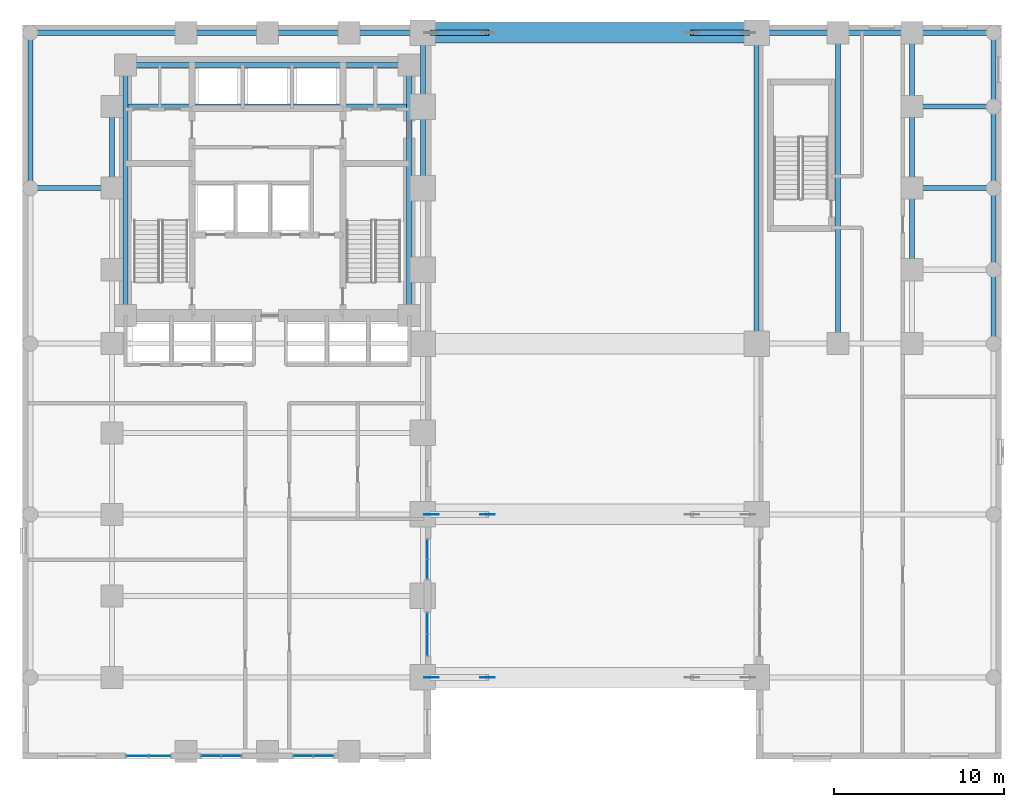
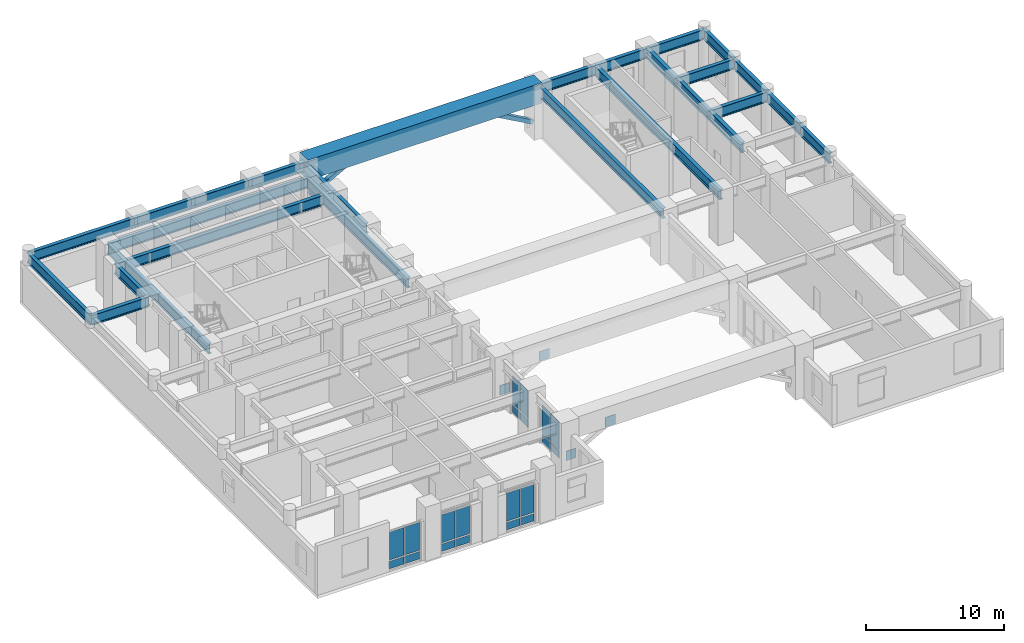
# One storey, part 5 of 12: 28 beams, 24 plates, 2 members, 5 elements without a shape of their own.
"""IFC4 building model written with IfcOpenShell, lengths in metres."""

from ifc_helpers import new_model, si_unit, direction, frame, origin, origin_2d, place, context, subcontext, project, spatial, rectangle, hollow_rectangle, i_section, extrude, material, layer, layer_set, material_profile, profile_set, type_object, element, aggregate, save


model = new_model("IFC4")

# Units and contexts
model_context = context("Model", 3, precision=1e-05, world=origin(), true_north=direction((0.0, 1.0)))
body_context = subcontext(model_context, "Body", "Model", "MODEL_VIEW")
ifc_project = project(units=[si_unit("LENGTHUNIT", "METRE"), si_unit("AREAUNIT", "SQUARE_METRE"), si_unit("VOLUMEUNIT", "CUBIC_METRE"), si_unit("PLANEANGLEUNIT", "RADIAN"), si_unit("MASSUNIT", "GRAM", prefix="KILO")], contexts=[model_context])

# Site, building, storey
site_placement = place(None, origin())
site = spatial("IfcSite", under=ifc_project, at=site_placement, CompositionType="ELEMENT")
building_placement = place(site_placement, origin())
building = spatial("IfcBuilding", under=site, at=building_placement, Name="Orvandelia Arch Residences", CompositionType="ELEMENT")
storey_placement = place(building_placement, frame((0.0, 0.0, 10.0)))
storey = spatial("IfcBuildingStorey", under=building, at=storey_placement, Name="L02", CompositionType="ELEMENT", Elevation=10.0)

# Beams
ifc_material_1 = material(Name="Structural Steel HSA650 (650 MPa)", Category="steel")
ifc_material_profile_1 = material_profile(ifc_material_1, i_section(OverallWidth=0.300048828125, OverallDepth=0.89990234375, WebThickness=0.01611328125, FlangeThickness=0.028076171875, FilletRadius=0.028076171875, at=origin_2d()), Name="Structural Steel HSA650 (650 MPa)", Category="steel")
ifc_profile_set_1 = profile_set([ifc_material_profile_1], Name="Structural Steel HSA650 (650 MPa)")
beam_type_1 = type_object("IfcBeamType", Name="BM-GRD-H900", PredefinedType="BEAM", material=ifc_profile_set_1)
beam_1_placement = place(storey_placement, frame((0.449951171875, 38.39990234375, 3.949951171875), z_axis=(0.0, 1.0, 0.0), x_axis=(-1.0, 0.0, 0.0)))
element("IfcBeam", 1, at=beam_1_placement, inside=storey, type_object=beam_type_1, Name="Structural Frame Beam L02-NS-004", PredefinedType="BEAM", context=body_context, shape_type="SweptSolid", body=[
    extrude(i_section(OverallWidth=0.300048828125, OverallDepth=0.89990234375, WebThickness=0.01611328125, FlangeThickness=0.028076171875, FilletRadius=0.028076171875, at=origin_2d()), origin(), (0.0, 0.0, 1.0), 9.150146484375),
])
beam_2_placement = place(storey_placement, frame((5.25, 38.39990234375, 3.949951171875), z_axis=(0.0, 1.0, 0.0), x_axis=(-1.0, 0.0, 0.0)))
element("IfcBeam", 2, at=beam_2_placement, inside=storey, type_object=beam_type_1, Name="Structural Frame Beam L02-NS-011", PredefinedType="BEAM", context=body_context, shape_type="SweptSolid", body=[
    extrude(i_section(OverallWidth=0.300048828125, OverallDepth=0.89990234375, WebThickness=0.01611328125, FlangeThickness=0.028076171875, FilletRadius=0.028076171875, at=origin_2d()), origin(), (0.0, 0.0, 1.0), 4.800048828125),
])
for number, where, z_axis, x_axis, name in (
    (3, (6.050048828125, 30.89990234375, 3.949951171875), (0.0, 1.0, 0.0), (-1.0, 0.0, 0.0), "Structural Frame Beam L02-NS-012"),
    (4, (22.75, 30.89990234375, 3.949951171875), (0.0, 1.0, 0.0), (-1.0, 0.0, 0.0), "Structural Frame Beam L02-NS-013"),
):
    element("IfcBeam", number, at=place(storey_placement, frame(where, z_axis=z_axis, x_axis=x_axis)), inside=storey, type_object=beam_type_1, Name=name, PredefinedType="BEAM", context=body_context, shape_type="SweptSolid", body=[
        extrude(i_section(OverallWidth=0.300048828125, OverallDepth=0.89990234375, WebThickness=0.01611328125, FlangeThickness=0.028076171875, FilletRadius=0.028076171875, at=origin_2d()), origin(), (0.0, 0.0, 1.0), 14.75),
    ])
beam_3_placement = place(storey_placement, frame((23.550048828125, 38.39990234375, 3.949951171875), z_axis=(0.0, 1.0, 0.0), x_axis=(-1.0, 0.0, 0.0)))
element("IfcBeam", 5, at=beam_3_placement, inside=storey, type_object=beam_type_1, Name="Structural Frame Beam L02-NS-020", PredefinedType="BEAM", context=body_context, shape_type="SweptSolid", body=[
    extrude(i_section(OverallWidth=0.300048828125, OverallDepth=0.89990234375, WebThickness=0.01611328125, FlangeThickness=0.028076171875, FilletRadius=0.028076171875, at=origin_2d()), origin(), (0.0, 0.0, 1.0), 4.800048828125),
])
beam_4_placement = place(storey_placement, frame((23.550048828125, 43.199951171875, 3.949951171875), z_axis=(0.0, 1.0, 0.0), x_axis=(-1.0, 0.0, 0.0)))
element("IfcBeam", 6, at=beam_4_placement, inside=storey, type_object=beam_type_1, Name="Structural Frame Beam L02-NS-021", PredefinedType="BEAM", context=body_context, shape_type="SweptSolid", body=[
    extrude(i_section(OverallWidth=0.300048828125, OverallDepth=0.89990234375, WebThickness=0.01611328125, FlangeThickness=0.028076171875, FilletRadius=0.028076171875, at=origin_2d()), origin(), (0.0, 0.0, 1.0), 4.35009765625),
])
for number, where, z_axis, x_axis, name in (
    (7, (43.199951171875, 29.25, 3.949951171875), (0.0, 1.0, 0.0), (-1.0, 0.0, 0.0), "Structural Frame Beam L02-NS-024"),
    (8, (48.0, 29.25, 3.949951171875), (0.0, 1.0, 0.0), (-1.0, 0.0, 0.0), "Structural Frame Beam L02-NS-025"),
):
    element("IfcBeam", number, at=place(storey_placement, frame(where, z_axis=z_axis, x_axis=x_axis)), inside=storey, type_object=beam_type_1, Name=name, PredefinedType="BEAM", context=body_context, shape_type="SweptSolid", body=[
        extrude(i_section(OverallWidth=0.300048828125, OverallDepth=0.89990234375, WebThickness=0.01611328125, FlangeThickness=0.028076171875, FilletRadius=0.028076171875, at=origin_2d()), origin(), (0.0, 0.0, 1.0), 18.300048828125),
    ])
beam_5_placement = place(storey_placement, frame((52.35009765625, 33.60009765625, 3.949951171875), z_axis=(0.0, 1.0, 0.0), x_axis=(-1.0, 0.0, 0.0)))
element("IfcBeam", 9, at=beam_5_placement, inside=storey, type_object=beam_type_1, Name="Structural Frame Beam L02-NS-027", PredefinedType="BEAM", context=body_context, shape_type="SweptSolid", body=[
    extrude(i_section(OverallWidth=0.300048828125, OverallDepth=0.89990234375, WebThickness=0.01611328125, FlangeThickness=0.028076171875, FilletRadius=0.028076171875, at=origin_2d()), origin(), (0.0, 0.0, 1.0), 4.7998046875),
])
beam_6_placement = place(storey_placement, frame((52.35009765625, 38.39990234375, 3.949951171875), z_axis=(0.0, 1.0, 0.0), x_axis=(-1.0, 0.0, 0.0)))
element("IfcBeam", 10, at=beam_6_placement, inside=storey, type_object=beam_type_1, Name="Structural Frame Beam L02-NS-028", PredefinedType="BEAM", context=body_context, shape_type="SweptSolid", body=[
    extrude(i_section(OverallWidth=0.300048828125, OverallDepth=0.89990234375, WebThickness=0.01611328125, FlangeThickness=0.028076171875, FilletRadius=0.028076171875, at=origin_2d()), origin(), (0.0, 0.0, 1.0), 4.800048828125),
])
for number, where, z_axis, x_axis, name in (
    (11, (52.35009765625, 43.199951171875, 3.949951171875), (0.0, 1.0, 0.0), (-1.0, 0.0, 0.0), "Structural Frame Beam L02-NS-029"),
    (12, (57.14990234375, 29.25, 3.949951171875), (0.0, 1.0, 0.0), (-1.0, 0.0, 0.0), "Structural Frame Beam L02-NS-032"),
):
    element("IfcBeam", number, at=place(storey_placement, frame(where, z_axis=z_axis, x_axis=x_axis)), inside=storey, type_object=beam_type_1, Name=name, PredefinedType="BEAM", context=body_context, shape_type="SweptSolid", body=[
        extrude(i_section(OverallWidth=0.300048828125, OverallDepth=0.89990234375, WebThickness=0.01611328125, FlangeThickness=0.028076171875, FilletRadius=0.028076171875, at=origin_2d()), origin(), (0.0, 0.0, 1.0), 4.35009765625),
    ])
beam_7_placement = place(storey_placement, frame((57.14990234375, 33.60009765625, 3.949951171875), z_axis=(0.0, 1.0, 0.0), x_axis=(-1.0, 0.0, 0.0)))
element("IfcBeam", 13, at=beam_7_placement, inside=storey, type_object=beam_type_1, Name="Structural Frame Beam L02-NS-033", PredefinedType="BEAM", context=body_context, shape_type="SweptSolid", body=[
    extrude(i_section(OverallWidth=0.300048828125, OverallDepth=0.89990234375, WebThickness=0.01611328125, FlangeThickness=0.028076171875, FilletRadius=0.028076171875, at=origin_2d()), origin(), (0.0, 0.0, 1.0), 4.7998046875),
])
beam_8_placement = place(storey_placement, frame((57.14990234375, 38.39990234375, 3.949951171875), z_axis=(0.0, 1.0, 0.0), x_axis=(-1.0, 0.0, 0.0)))
element("IfcBeam", 14, at=beam_8_placement, inside=storey, type_object=beam_type_1, Name="Structural Frame Beam L02-NS-034", PredefinedType="BEAM", context=body_context, shape_type="SweptSolid", body=[
    extrude(i_section(OverallWidth=0.300048828125, OverallDepth=0.89990234375, WebThickness=0.01611328125, FlangeThickness=0.028076171875, FilletRadius=0.028076171875, at=origin_2d()), origin(), (0.0, 0.0, 1.0), 4.800048828125),
])
beam_9_placement = place(storey_placement, frame((57.14990234375, 43.199951171875, 3.949951171875), z_axis=(0.0, 1.0, 0.0), x_axis=(-1.0, 0.0, 0.0)))
element("IfcBeam", 15, at=beam_9_placement, inside=storey, type_object=beam_type_1, Name="Structural Frame Beam L02-NS-035", PredefinedType="BEAM", context=body_context, shape_type="SweptSolid", body=[
    extrude(i_section(OverallWidth=0.300048828125, OverallDepth=0.89990234375, WebThickness=0.01611328125, FlangeThickness=0.028076171875, FilletRadius=0.028076171875, at=origin_2d()), origin(), (0.0, 0.0, 1.0), 4.35009765625),
])
beam_10_placement = place(storey_placement, frame((0.449951171875, 38.39990234375, 3.949951171875), z_axis=(1.0, 0.0, 0.0), x_axis=(0.0, 1.0, 0.0)))
element("IfcBeam", 16, at=beam_10_placement, inside=storey, type_object=beam_type_1, Name="Structural Frame Girder L02-EW-054", PredefinedType="BEAM", context=body_context, shape_type="SweptSolid", body=[
    extrude(i_section(OverallWidth=0.300048828125, OverallDepth=0.89990234375, WebThickness=0.01611328125, FlangeThickness=0.028076171875, FilletRadius=0.028076171875, at=origin_2d()), origin(), (0.0, 0.0, 1.0), 4.800048828125),
])
beam_11_placement = place(storey_placement, frame((52.35009765625, 38.39990234375, 3.949951171875), z_axis=(1.0, 0.0, 0.0), x_axis=(0.0, 1.0, 0.0)))
element("IfcBeam", 17, at=beam_11_placement, inside=storey, type_object=beam_type_1, Name="Structural Frame Girder L02-EW-056", PredefinedType="BEAM", context=body_context, shape_type="SweptSolid", body=[
    extrude(i_section(OverallWidth=0.300048828125, OverallDepth=0.89990234375, WebThickness=0.01611328125, FlangeThickness=0.028076171875, FilletRadius=0.028076171875, at=origin_2d()), origin(), (0.0, 0.0, 1.0), 4.7998046875),
])
beam_12_placement = place(storey_placement, frame((5.25, 43.199951171875, 3.949951171875), z_axis=(1.0, 0.0, 0.0), x_axis=(0.0, 1.0, 0.0)))
element("IfcBeam", 18, at=beam_12_placement, inside=storey, type_object=beam_type_1, Name="Structural Frame Girder L02-EW-057", PredefinedType="BEAM", context=body_context, shape_type="SweptSolid", body=[
    extrude(i_section(OverallWidth=0.300048828125, OverallDepth=0.89990234375, WebThickness=0.01611328125, FlangeThickness=0.028076171875, FilletRadius=0.028076171875, at=origin_2d()), origin(), (0.0, 0.0, 1.0), 18.300048828125),
])
beam_13_placement = place(storey_placement, frame((52.35009765625, 43.199951171875, 3.949951171875), z_axis=(1.0, 0.0, 0.0), x_axis=(0.0, 1.0, 0.0)))
element("IfcBeam", 19, at=beam_13_placement, inside=storey, type_object=beam_type_1, Name="Structural Frame Girder L02-EW-058", PredefinedType="BEAM", context=body_context, shape_type="SweptSolid", body=[
    extrude(i_section(OverallWidth=0.300048828125, OverallDepth=0.89990234375, WebThickness=0.01611328125, FlangeThickness=0.028076171875, FilletRadius=0.028076171875, at=origin_2d()), origin(), (0.0, 0.0, 1.0), 4.7998046875),
])
beam_14_placement = place(storey_placement, frame((6.050048828125, 45.64990234375, 3.949951171875), z_axis=(1.0, 0.0, 0.0), x_axis=(0.0, 1.0, 0.0)))
element("IfcBeam", 20, at=beam_14_placement, inside=storey, type_object=beam_type_1, Name="Structural Frame Girder L02-EW-059", PredefinedType="BEAM", context=body_context, shape_type="SweptSolid", body=[
    extrude(i_section(OverallWidth=0.300048828125, OverallDepth=0.89990234375, WebThickness=0.01611328125, FlangeThickness=0.028076171875, FilletRadius=0.028076171875, at=origin_2d()), origin(), (0.0, 0.0, 1.0), 16.699951171875),
])
beam_15_placement = place(storey_placement, frame((0.449951171875, 47.550048828125, 3.949951171875), z_axis=(1.0, 0.0, 0.0), x_axis=(0.0, 1.0, 0.0)))
element("IfcBeam", 21, at=beam_15_placement, inside=storey, type_object=beam_type_1, Name="Structural Frame Girder L02-EW-060", PredefinedType="BEAM", context=body_context, shape_type="SweptSolid", body=[
    extrude(i_section(OverallWidth=0.300048828125, OverallDepth=0.89990234375, WebThickness=0.01611328125, FlangeThickness=0.028076171875, FilletRadius=0.028076171875, at=origin_2d()), origin(), (0.0, 0.0, 1.0), 9.150146484375),
])
beam_16_placement = place(storey_placement, frame((9.60009765625, 47.550048828125, 3.949951171875), z_axis=(1.0, 0.0, 0.0), x_axis=(0.0, 1.0, 0.0)))
element("IfcBeam", 22, at=beam_16_placement, inside=storey, type_object=beam_type_1, Name="Structural Frame Girder L02-EW-061", PredefinedType="BEAM", context=body_context, shape_type="SweptSolid", body=[
    extrude(i_section(OverallWidth=0.300048828125, OverallDepth=0.89990234375, WebThickness=0.01611328125, FlangeThickness=0.028076171875, FilletRadius=0.028076171875, at=origin_2d()), origin(), (0.0, 0.0, 1.0), 4.7998046875),
])
beam_17_placement = place(storey_placement, frame((14.39990234375, 47.550048828125, 3.949951171875), z_axis=(1.0, 0.0, 0.0), x_axis=(0.0, 1.0, 0.0)))
element("IfcBeam", 23, at=beam_17_placement, inside=storey, type_object=beam_type_1, Name="Structural Frame Girder L02-EW-062", PredefinedType="BEAM", context=body_context, shape_type="SweptSolid", body=[
    extrude(i_section(OverallWidth=0.300048828125, OverallDepth=0.89990234375, WebThickness=0.01611328125, FlangeThickness=0.028076171875, FilletRadius=0.028076171875, at=origin_2d()), origin(), (0.0, 0.0, 1.0), 4.800048828125),
])
beam_18_placement = place(storey_placement, frame((19.199951171875, 47.550048828125, 3.949951171875), z_axis=(1.0, 0.0, 0.0), x_axis=(0.0, 1.0, 0.0)))
element("IfcBeam", 24, at=beam_18_placement, inside=storey, type_object=beam_type_1, Name="Structural Frame Girder L02-EW-063", PredefinedType="BEAM", context=body_context, shape_type="SweptSolid", body=[
    extrude(i_section(OverallWidth=0.300048828125, OverallDepth=0.89990234375, WebThickness=0.01611328125, FlangeThickness=0.028076171875, FilletRadius=0.028076171875, at=origin_2d()), origin(), (0.0, 0.0, 1.0), 4.35009765625),
])
beam_19_placement = place(storey_placement, frame((43.199951171875, 47.550048828125, 3.949951171875), z_axis=(1.0, 0.0, 0.0), x_axis=(0.0, 1.0, 0.0)))
element("IfcBeam", 25, at=beam_19_placement, inside=storey, type_object=beam_type_1, Name="Structural Frame Girder L02-EW-064", PredefinedType="BEAM", context=body_context, shape_type="SweptSolid", body=[
    extrude(i_section(OverallWidth=0.300048828125, OverallDepth=0.89990234375, WebThickness=0.01611328125, FlangeThickness=0.028076171875, FilletRadius=0.028076171875, at=origin_2d()), origin(), (0.0, 0.0, 1.0), 4.800048828125),
])
beam_20_placement = place(storey_placement, frame((48.0, 47.550048828125, 3.949951171875), z_axis=(1.0, 0.0, 0.0), x_axis=(0.0, 1.0, 0.0)))
element("IfcBeam", 26, at=beam_20_placement, inside=storey, type_object=beam_type_1, Name="Structural Frame Girder L02-EW-065", PredefinedType="BEAM", context=body_context, shape_type="SweptSolid", body=[
    extrude(i_section(OverallWidth=0.300048828125, OverallDepth=0.89990234375, WebThickness=0.01611328125, FlangeThickness=0.028076171875, FilletRadius=0.028076171875, at=origin_2d()), origin(), (0.0, 0.0, 1.0), 4.35009765625),
])
beam_21_placement = place(storey_placement, frame((52.35009765625, 47.550048828125, 3.949951171875), z_axis=(1.0, 0.0, 0.0), x_axis=(0.0, 1.0, 0.0)))
element("IfcBeam", 27, at=beam_21_placement, inside=storey, type_object=beam_type_1, Name="Structural Frame Girder L02-EW-066", PredefinedType="BEAM", context=body_context, shape_type="SweptSolid", body=[
    extrude(i_section(OverallWidth=0.300048828125, OverallDepth=0.89990234375, WebThickness=0.01611328125, FlangeThickness=0.028076171875, FilletRadius=0.028076171875, at=origin_2d()), origin(), (0.0, 0.0, 1.0), 4.7998046875),
])

# Members
ifc_material_2 = material(Name="Structural Steel SM355 (355 MPa)", Category="steel")
ifc_material_profile_2 = material_profile(ifc_material_2, hollow_rectangle(XDim=0.35009765625, YDim=0.35009765625, WallThickness=0.01904296875, at=origin_2d()), Name="Structural Steel SM355 (355 MPa)", Category="steel")
ifc_profile_set_2 = profile_set([ifc_material_profile_2], Name="Structural Steel SM355 (355 MPa)")
member_type = type_object("IfcMemberType", Name="MBR-ARCH-RIB", PredefinedType="STRUT", material=ifc_profile_set_2)
for number, where, z_axis, x_axis, name in (
    (28, (24.050048828125, 47.550048828125, 1.199951171875), (0.872272628353, 0.0, 0.489019899213), (0.0, 1.0, 0.0), "Giant Street Arch West Springer Haunch NORTH"),
    (29, (42.699951171875, 47.550048828125, 1.199951171875), (-0.872272628353, 0.0, 0.489019899213), (0.0, -1.0, 0.0), "Giant Street Arch East Springer Haunch NORTH"),
):
    element("IfcMember", number, at=place(storey_placement, frame(where, z_axis=z_axis, x_axis=x_axis)), inside=storey, type_object=member_type, Name=name, PredefinedType="STRUT", context=body_context, shape_type="SweptSolid", body=[
        extrude(hollow_rectangle(XDim=0.35009765625, YDim=0.35009765625, WallThickness=0.01904296875, at=origin_2d()), origin(), (0.0, 0.0, 1.0), 3.783203125),
    ])

# Beam
ifc_material_3 = material(Name="Concrete C80/95", Category="concrete")
ifc_material_profile_3 = material_profile(ifc_material_3, rectangle(XDim=1.199951171875, YDim=1.800048828125, at=origin_2d()), Name="Concrete C80/95", Category="concrete")
ifc_profile_set_3 = profile_set([ifc_material_profile_3], Name="Concrete C80/95")
beam_type_2 = type_object("IfcBeamType", Name="TG-ARCH-1200x1800", PredefinedType="USERDEFINED", material=ifc_profile_set_3)
beam_22_placement = place(storey_placement, frame((23.550048828125, 47.550048828125, 3.89990234375), z_axis=(1.0, 0.0, 0.0), x_axis=(0.0, 1.0, 0.0)))
element("IfcBeam", 30, at=beam_22_placement, inside=storey, type_object=beam_type_2, Name="Arch Coupled Transfer Girder L02", ObjectType="TRANSFER GIRDER", PredefinedType="USERDEFINED", context=body_context, shape_type="SweptSolid", body=[
    extrude(rectangle(XDim=1.199951171875, YDim=1.800048828125, at=origin_2d()), origin(), (0.0, 0.0, 1.0), 19.64990234375),
])

# Curtain wall, plates
ifc_material_4 = material(Name="Anodised Bronze Curtain Wall Assembly")
curtain_wall_type_1 = type_object("IfcCurtainWallType", Name="CW-SYS1-PODIUM", PredefinedType="NOTDEFINED", material=ifc_material_4)
curtain_wall_1_placement = place(storey_placement, origin())
curtain_wall_1 = element("IfcCurtainWall", 31, at=curtain_wall_1_placement, inside=storey, type_object=curtain_wall_type_1, Name="Podium Gallery Curtain Wall L02 1", PredefinedType="NOTDEFINED")
ifc_material_5 = material(Name="Insulated Bronze Aluminium Spandrel Panel", Category="aluminium")
ifc_layer_1 = layer(ifc_material_5, 0.0400390625, Name="Insulated Bronze Aluminium Spandrel Panel", Category="aluminium")
ifc_layer_set_1 = layer_set([ifc_layer_1], Name="Insulated Bronze Aluminium Spandrel Panel")
plate_type_1 = type_object("IfcPlateType", Name="CW-PANEL-SPANDREL", PredefinedType="SHEET", material=ifc_layer_set_1)
plate_1_placement = place(storey_placement, frame((6.737548828125, 4.97998046875, 0.125), z_axis=(0.0, 0.0, 1.0), x_axis=(1.0, 0.0, 0.0)))
plate_1 = element("IfcPlate", 32, at=plate_1_placement, type_object=plate_type_1, Name="Curtain Wall Spandrel Panel CW-L02-1-PS1", PredefinedType="SHEET", context=body_context, shape_type="SweptSolid", body=[
    extrude(rectangle(XDim=1.264892578125, YDim=0.0400390625, at=origin_2d()), origin(), (0.0, 0.0, 1.0), 0.659912109375),
])
plate_2_placement = place(storey_placement, frame((8.052490234375, 4.97998046875, 0.125), z_axis=(0.0, 0.0, 1.0), x_axis=(1.0, 0.0, 0.0)))
plate_2 = element("IfcPlate", 33, at=plate_2_placement, type_object=plate_type_1, Name="Curtain Wall Spandrel Panel CW-L02-1-PS2", PredefinedType="SHEET", context=body_context, shape_type="SweptSolid", body=[
    extrude(rectangle(XDim=1.264892578125, YDim=0.0400390625, at=origin_2d()), origin(), (0.0, 0.0, 1.0), 0.659912109375),
])

curtain_wall_2_placement = place(storey_placement, origin())
curtain_wall_2 = element("IfcCurtainWall", 34, at=curtain_wall_2_placement, inside=storey, type_object=curtain_wall_type_1, Name="Podium Gallery Curtain Wall L02 2", PredefinedType="NOTDEFINED")
plate_3_placement = place(storey_placement, frame((11.08740234375, 4.97998046875, 0.125), z_axis=(0.0, 0.0, 1.0), x_axis=(1.0, 0.0, 0.0)))
plate_3 = element("IfcPlate", 35, at=plate_3_placement, type_object=plate_type_1, Name="Curtain Wall Spandrel Panel CW-L02-2-PS1", PredefinedType="SHEET", context=body_context, shape_type="SweptSolid", body=[
    extrude(rectangle(XDim=1.14501953125, YDim=0.0400390625, at=origin_2d()), origin(), (0.0, 0.0, 1.0), 0.659912109375),
])
plate_4_placement = place(storey_placement, frame((12.282470703125, 4.97998046875, 0.125), z_axis=(0.0, 0.0, 1.0), x_axis=(1.0, 0.0, 0.0)))
plate_4 = element("IfcPlate", 36, at=plate_4_placement, type_object=plate_type_1, Name="Curtain Wall Spandrel Panel CW-L02-2-PS2", PredefinedType="SHEET", context=body_context, shape_type="SweptSolid", body=[
    extrude(rectangle(XDim=1.14501953125, YDim=0.0400390625, at=origin_2d()), origin(), (0.0, 0.0, 1.0), 0.659912109375),
])

curtain_wall_3_placement = place(storey_placement, origin())
curtain_wall_3 = element("IfcCurtainWall", 37, at=curtain_wall_3_placement, inside=storey, type_object=curtain_wall_type_1, Name="Podium Gallery Curtain Wall L02 3", PredefinedType="NOTDEFINED")
plate_5_placement = place(storey_placement, frame((16.517578125, 4.97998046875, 0.125), z_axis=(0.0, 0.0, 1.0), x_axis=(1.0, 0.0, 0.0)))
plate_5 = element("IfcPlate", 38, at=plate_5_placement, type_object=plate_type_1, Name="Curtain Wall Spandrel Panel CW-L02-3-PS1", PredefinedType="SHEET", context=body_context, shape_type="SweptSolid", body=[
    extrude(rectangle(XDim=1.14501953125, YDim=0.0400390625, at=origin_2d()), origin(), (0.0, 0.0, 1.0), 0.659912109375),
])
plate_6_placement = place(storey_placement, frame((17.71240234375, 4.97998046875, 0.125), z_axis=(0.0, 0.0, 1.0), x_axis=(1.0, 0.0, 0.0)))
plate_6 = element("IfcPlate", 39, at=plate_6_placement, type_object=plate_type_1, Name="Curtain Wall Spandrel Panel CW-L02-3-PS2", PredefinedType="SHEET", context=body_context, shape_type="SweptSolid", body=[
    extrude(rectangle(XDim=1.14501953125, YDim=0.0400390625, at=origin_2d()), origin(), (0.0, 0.0, 1.0), 0.659912109375),
])

curtain_wall_type_2 = type_object("IfcCurtainWallType", Name="CW-SYS2-ARCH", PredefinedType="NOTDEFINED", material=ifc_material_4)
curtain_wall_4_placement = place(storey_placement, origin())
curtain_wall_4 = element("IfcCurtainWall", 40, at=curtain_wall_4_placement, inside=storey, type_object=curtain_wall_type_2, Name="Arch West Cheek Glazing L02 4", PredefinedType="NOTDEFINED")
plate_7_placement = place(storey_placement, frame((23.820068359375, 11.512451171875, 0.125), z_axis=(0.0, 0.0, 1.0), x_axis=(0.0, 1.0, 0.0)))
plate_7 = element("IfcPlate", 41, at=plate_7_placement, type_object=plate_type_1, Name="Curtain Wall Spandrel Panel CW-L02-4-PS1", PredefinedType="SHEET", context=body_context, shape_type="SweptSolid", body=[
    extrude(rectangle(XDim=1.215087890625, YDim=0.0400390625, at=origin_2d()), origin(), (0.0, 0.0, 1.0), 0.659912109375),
])
plate_8_placement = place(storey_placement, frame((23.820068359375, 12.777587890625, 0.125), z_axis=(0.0, 0.0, 1.0), x_axis=(0.0, 1.0, 0.0)))
plate_8 = element("IfcPlate", 42, at=plate_8_placement, type_object=plate_type_1, Name="Curtain Wall Spandrel Panel CW-L02-4-PS2", PredefinedType="SHEET", context=body_context, shape_type="SweptSolid", body=[
    extrude(rectangle(XDim=1.215087890625, YDim=0.0400390625, at=origin_2d()), origin(), (0.0, 0.0, 1.0), 0.659912109375),
])

curtain_wall_5_placement = place(storey_placement, origin())
curtain_wall_5 = element("IfcCurtainWall", 43, at=curtain_wall_5_placement, inside=storey, type_object=curtain_wall_type_2, Name="Arch West Cheek Glazing L02 5", PredefinedType="NOTDEFINED")
plate_9_placement = place(storey_placement, frame((23.820068359375, 15.972412109375, 0.125), z_axis=(0.0, 0.0, 1.0), x_axis=(0.0, 1.0, 0.0)))
plate_9 = element("IfcPlate", 44, at=plate_9_placement, type_object=plate_type_1, Name="Curtain Wall Spandrel Panel CW-L02-5-PS1", PredefinedType="SHEET", context=body_context, shape_type="SweptSolid", body=[
    extrude(rectangle(XDim=1.114990234375, YDim=0.0400390625, at=origin_2d()), origin(), (0.0, 0.0, 1.0), 0.659912109375),
])
plate_10_placement = place(storey_placement, frame((23.820068359375, 17.137451171875, 0.125), z_axis=(0.0, 0.0, 1.0), x_axis=(0.0, 1.0, 0.0)))
plate_10 = element("IfcPlate", 45, at=plate_10_placement, type_object=plate_type_1, Name="Curtain Wall Spandrel Panel CW-L02-5-PS2", PredefinedType="SHEET", context=body_context, shape_type="SweptSolid", body=[
    extrude(rectangle(XDim=1.114990234375, YDim=0.0400390625, at=origin_2d()), origin(), (0.0, 0.0, 1.0), 0.659912109375),
])

# Plate
ifc_material_6 = material(Name="Low-E Laminated Double Glazing", Category="glass")
ifc_layer_2 = layer(ifc_material_6, 0.031982421875, Name="Low-E Laminated Double Glazing", Category="glass")
ifc_layer_set_2 = layer_set([ifc_layer_2], Name="Low-E Laminated Double Glazing")
plate_type_2 = type_object("IfcPlateType", Name="CW-PANEL-VISION", PredefinedType="CURTAIN_PANEL", material=ifc_layer_set_2)
plate_11_placement = place(storey_placement, frame((6.737548828125, 4.97998046875, 0.89501953125), z_axis=(0.0, 0.0, 1.0), x_axis=(1.0, 0.0, 0.0)))
plate_11 = element("IfcPlate", 46, at=plate_11_placement, type_object=plate_type_2, Name="Curtain Wall Vision Glass Panel CW-L02-1-PV1", PredefinedType="CURTAIN_PANEL", context=body_context, shape_type="SweptSolid", body=[
    extrude(rectangle(XDim=1.264892578125, YDim=0.031982421875, at=origin_2d()), origin(), (0.0, 0.0, 1.0), 2.47998046875),
])

plate_12_placement = place(storey_placement, frame((8.052490234375, 4.97998046875, 0.89501953125), z_axis=(0.0, 0.0, 1.0), x_axis=(1.0, 0.0, 0.0)))
plate_12 = element("IfcPlate", 47, at=plate_12_placement, type_object=plate_type_2, Name="Curtain Wall Vision Glass Panel CW-L02-1-PV2", PredefinedType="CURTAIN_PANEL", context=body_context, shape_type="SweptSolid", body=[
    extrude(rectangle(XDim=1.264892578125, YDim=0.031982421875, at=origin_2d()), origin(), (0.0, 0.0, 1.0), 2.47998046875),
])

aggregate(curtain_wall_1, [plate_1, plate_11, plate_2, plate_12])

plate_13_placement = place(storey_placement, frame((11.08740234375, 4.97998046875, 0.89501953125), z_axis=(0.0, 0.0, 1.0), x_axis=(1.0, 0.0, 0.0)))
plate_13 = element("IfcPlate", 48, at=plate_13_placement, type_object=plate_type_2, Name="Curtain Wall Vision Glass Panel CW-L02-2-PV1", PredefinedType="CURTAIN_PANEL", context=body_context, shape_type="SweptSolid", body=[
    extrude(rectangle(XDim=1.14501953125, YDim=0.031982421875, at=origin_2d()), origin(), (0.0, 0.0, 1.0), 2.47998046875),
])

plate_14_placement = place(storey_placement, frame((12.282470703125, 4.97998046875, 0.89501953125), z_axis=(0.0, 0.0, 1.0), x_axis=(1.0, 0.0, 0.0)))
plate_14 = element("IfcPlate", 49, at=plate_14_placement, type_object=plate_type_2, Name="Curtain Wall Vision Glass Panel CW-L02-2-PV2", PredefinedType="CURTAIN_PANEL", context=body_context, shape_type="SweptSolid", body=[
    extrude(rectangle(XDim=1.14501953125, YDim=0.031982421875, at=origin_2d()), origin(), (0.0, 0.0, 1.0), 2.47998046875),
])

aggregate(curtain_wall_2, [plate_3, plate_13, plate_4, plate_14])

plate_15_placement = place(storey_placement, frame((16.517578125, 4.97998046875, 0.89501953125), z_axis=(0.0, 0.0, 1.0), x_axis=(1.0, 0.0, 0.0)))
plate_15 = element("IfcPlate", 50, at=plate_15_placement, type_object=plate_type_2, Name="Curtain Wall Vision Glass Panel CW-L02-3-PV1", PredefinedType="CURTAIN_PANEL", context=body_context, shape_type="SweptSolid", body=[
    extrude(rectangle(XDim=1.14501953125, YDim=0.031982421875, at=origin_2d()), origin(), (0.0, 0.0, 1.0), 2.47998046875),
])

plate_16_placement = place(storey_placement, frame((17.71240234375, 4.97998046875, 0.89501953125), z_axis=(0.0, 0.0, 1.0), x_axis=(1.0, 0.0, 0.0)))
plate_16 = element("IfcPlate", 51, at=plate_16_placement, type_object=plate_type_2, Name="Curtain Wall Vision Glass Panel CW-L02-3-PV2", PredefinedType="CURTAIN_PANEL", context=body_context, shape_type="SweptSolid", body=[
    extrude(rectangle(XDim=1.14501953125, YDim=0.031982421875, at=origin_2d()), origin(), (0.0, 0.0, 1.0), 2.47998046875),
])

aggregate(curtain_wall_3, [plate_5, plate_15, plate_6, plate_16])

plate_17_placement = place(storey_placement, frame((23.820068359375, 11.512451171875, 0.89501953125), z_axis=(0.0, 0.0, 1.0), x_axis=(0.0, 1.0, 0.0)))
plate_17 = element("IfcPlate", 52, at=plate_17_placement, type_object=plate_type_2, Name="Curtain Wall Vision Glass Panel CW-L02-4-PV1", PredefinedType="CURTAIN_PANEL", context=body_context, shape_type="SweptSolid", body=[
    extrude(rectangle(XDim=1.215087890625, YDim=0.031982421875, at=origin_2d()), origin(), (0.0, 0.0, 1.0), 2.47998046875),
])

plate_18_placement = place(storey_placement, frame((23.820068359375, 12.777587890625, 0.89501953125), z_axis=(0.0, 0.0, 1.0), x_axis=(0.0, 1.0, 0.0)))
plate_18 = element("IfcPlate", 53, at=plate_18_placement, type_object=plate_type_2, Name="Curtain Wall Vision Glass Panel CW-L02-4-PV2", PredefinedType="CURTAIN_PANEL", context=body_context, shape_type="SweptSolid", body=[
    extrude(rectangle(XDim=1.215087890625, YDim=0.031982421875, at=origin_2d()), origin(), (0.0, 0.0, 1.0), 2.47998046875),
])

aggregate(curtain_wall_4, [plate_7, plate_17, plate_8, plate_18])

plate_19_placement = place(storey_placement, frame((23.820068359375, 15.972412109375, 0.89501953125), z_axis=(0.0, 0.0, 1.0), x_axis=(0.0, 1.0, 0.0)))
plate_19 = element("IfcPlate", 54, at=plate_19_placement, type_object=plate_type_2, Name="Curtain Wall Vision Glass Panel CW-L02-5-PV1", PredefinedType="CURTAIN_PANEL", context=body_context, shape_type="SweptSolid", body=[
    extrude(rectangle(XDim=1.114990234375, YDim=0.031982421875, at=origin_2d()), origin(), (0.0, 0.0, 1.0), 2.47998046875),
])

plate_20_placement = place(storey_placement, frame((23.820068359375, 17.137451171875, 0.89501953125), z_axis=(0.0, 0.0, 1.0), x_axis=(0.0, 1.0, 0.0)))
plate_20 = element("IfcPlate", 55, at=plate_20_placement, type_object=plate_type_2, Name="Curtain Wall Vision Glass Panel CW-L02-5-PV2", PredefinedType="CURTAIN_PANEL", context=body_context, shape_type="SweptSolid", body=[
    extrude(rectangle(XDim=1.114990234375, YDim=0.031982421875, at=origin_2d()), origin(), (0.0, 0.0, 1.0), 2.47998046875),
])

aggregate(curtain_wall_5, [plate_9, plate_19, plate_10, plate_20])

# Plates
ifc_layer_3 = layer(ifc_material_1, 0.0400390625, Name="Structural Steel HSA650 (650 MPa)", Category="steel")
ifc_layer_set_3 = layer_set([ifc_layer_3], Name="Structural Steel HSA650 (650 MPa)")
plate_type_3 = type_object("IfcPlateType", Name="PLT-GUSSET-850", PredefinedType="USERDEFINED", material=ifc_layer_set_3)
for number, where, z_axis, x_axis, name in (
    (56, (24.050048828125, 9.60009765625, 0.77490234375), (0.0, 0.0, 1.0), (1.0, 0.0, 0.0), "Arch Springer End Gusset Plate SOUTH-WL"),
    (57, (27.35009765625, 9.60009765625, 2.625), (0.0, 0.0, 1.0), (1.0, 0.0, 0.0), "Arch Springer End Gusset Plate SOUTH-WH"),
    (58, (24.050048828125, 19.199951171875, 0.77490234375), (0.0, 0.0, 1.0), (1.0, 0.0, 0.0), "Arch Springer End Gusset Plate MID-WL"),
    (59, (27.35009765625, 19.199951171875, 2.625), (0.0, 0.0, 1.0), (1.0, 0.0, 0.0), "Arch Springer End Gusset Plate MID-WH"),
):
    element("IfcPlate", number, at=place(storey_placement, frame(where, z_axis=z_axis, x_axis=x_axis)), inside=storey, type_object=plate_type_3, Name=name, ObjectType="GUSSET_PLATE", PredefinedType="USERDEFINED", context=body_context, shape_type="SweptSolid", body=[
        extrude(rectangle(XDim=0.85009765625, YDim=0.0400390625, at=origin_2d()), origin(), (0.0, 0.0, 1.0), 0.85009765625),
    ])

save(model, "model.ifc")
